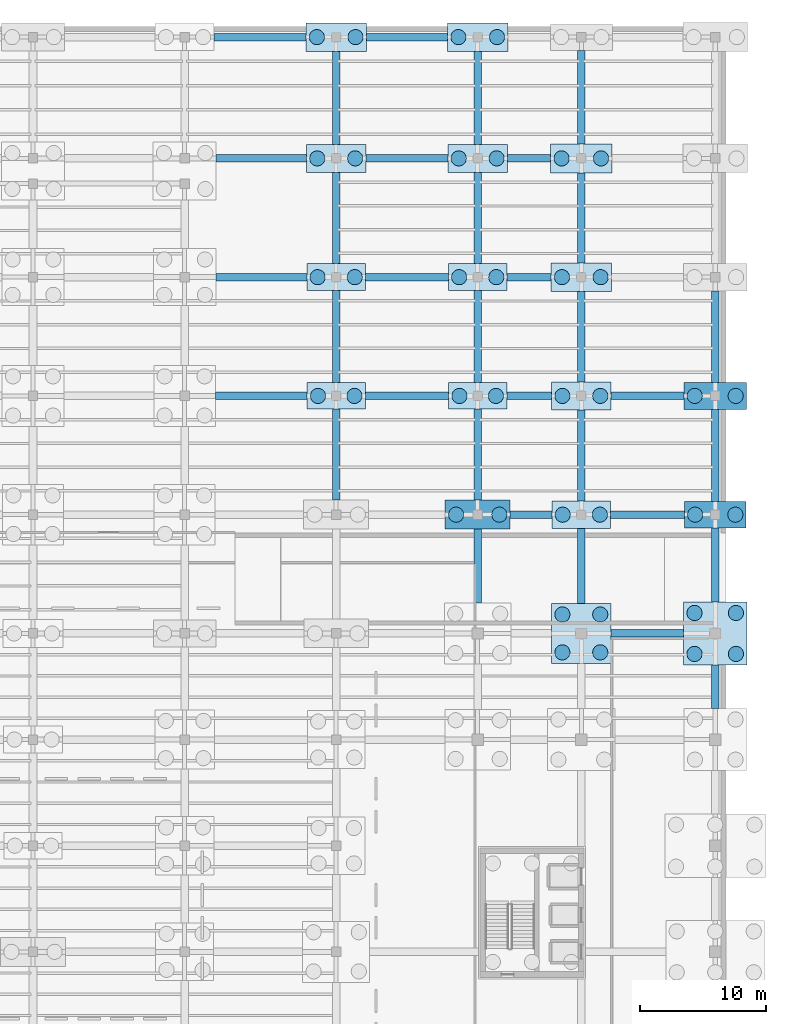
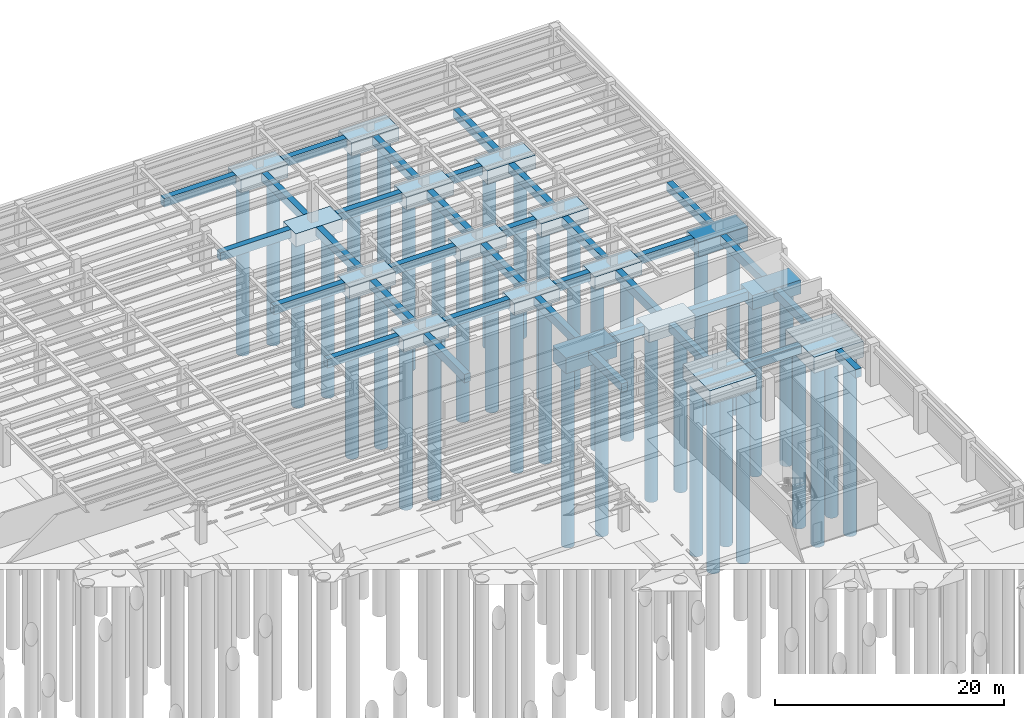
# One storey, part 16 of 49: 50 footings, 38 piles.
"""IFC4 building model written with IfcOpenShell, lengths in metres."""

import ifcopenshell
import ifcopenshell.guid

model = None  # the IFC model being written
_history = None  # IfcOwnerHistory: only IFC2X3 demands one
_inside = {}  # id of a spatial element -> (the spatial element, [elements in it])
_under = {}  # id of a project, library or spatial element -> (it, [spatial elements below it])
_declared = {}  # id of a project -> (the project, [libraries it declares])
_typed = {}  # id of a type object -> (the type object, [elements of that type])
_made_of = {}  # id of a material, layer set ... -> (it, [elements and type objects made of it])


def new_model(schema):
    """Start an empty IFC model of exactly this schema.

    Asked for "IFC4X3", IfcOpenShell would pick the latest addendum, in which some entities
    have other attributes; the version numbers below select the first issue.
    IFC2X3 requires an IfcOwnerHistory on every rooted entity: one is made here for all.
    """
    global model, _history
    if schema == "IFC4X3":
        model = ifcopenshell.file(schema_version=(4, 3, 0, 0))
    else:
        model = ifcopenshell.file(schema=schema)
    _inside.clear()
    _under.clear()
    _declared.clear()
    _typed.clear()
    _made_of.clear()
    _history = None
    if model.schema == "IFC2X3":
        org = make("IfcOrganization", Name="unknown")
        user = make(
            "IfcPersonAndOrganization",
            ThePerson=make("IfcPerson", FamilyName="unknown"),
            TheOrganization=org,
        )
        app = make(
            "IfcApplication",
            ApplicationDeveloper=org,
            Version="unknown",
            ApplicationFullName="unknown",
            ApplicationIdentifier="unknown",
        )
        _history = make(
            "IfcOwnerHistory",
            OwningUser=user,
            OwningApplication=app,
            ChangeAction="ADDED",
            CreationDate=0,
        )
    return model


def make(cls, **values):
    """One entity of the class cls with the attributes given. An attribute that is None is left unset."""
    return model.create_entity(
        cls, **{name: value for name, value in values.items() if value is not None}
    )


def rooted(cls, **values):
    """An entity with a GlobalId (a new one), such as an element, a storey or a relation."""
    return make(cls, GlobalId=ifcopenshell.guid.new(), OwnerHistory=_history, **values)


def si_unit(unit_type, name, prefix=None):
    """IfcSIUnit, for example si_unit("LENGTHUNIT", "METRE", prefix="MILLI")."""
    return make("IfcSIUnit", UnitType=unit_type, Prefix=prefix, Name=name)


def assignment(units):
    """IfcUnitAssignment: the units of a project."""
    return None if units is None else make("IfcUnitAssignment", Units=units)


def point(xyz):
    """IfcCartesianPoint."""
    return None if xyz is None else make("IfcCartesianPoint", Coordinates=xyz)


def direction(xyz):
    """IfcDirection."""
    return None if xyz is None else make("IfcDirection", DirectionRatios=xyz)


def frame(location, z_axis=None, x_axis=None):
    """IfcAxis2Placement3D, a coordinate frame: its origin and axes. An axis left out is left unset."""
    return make(
        "IfcAxis2Placement3D",
        Location=point(location),
        Axis=direction(z_axis),
        RefDirection=direction(x_axis),
    )


def frame_2d(location, x_axis=None):
    """IfcAxis2Placement2D, a coordinate frame in the plane: its origin and x axis."""
    return make(
        "IfcAxis2Placement2D", Location=point(location), RefDirection=direction(x_axis)
    )


def origin():
    """The frame at (0, 0, 0) with its axes left unset."""
    return frame((0.0, 0.0, 0.0))


def origin_2d():
    """The frame at (0, 0) in the plane with its x axis left unset."""
    return frame_2d((0.0, 0.0))


def place(relative_to, where):
    """IfcLocalPlacement: puts the frame where relative to a parent placement (None: the world)."""
    return make(
        "IfcLocalPlacement", PlacementRelTo=relative_to, RelativePlacement=where
    )


def context(
    kind, dimensions, precision=None, world=None, true_north=None, identifier=None
):
    """IfcGeometricRepresentationContext, for example the 3D "Model" context."""
    return make(
        "IfcGeometricRepresentationContext",
        ContextIdentifier=identifier,
        ContextType=kind,
        CoordinateSpaceDimension=dimensions,
        Precision=precision,
        WorldCoordinateSystem=world,
        TrueNorth=true_north,
    )


def subcontext(parent, identifier, kind, view, scale=None):
    """IfcGeometricRepresentationSubContext, for example "Body" below "Model"."""
    return make(
        "IfcGeometricRepresentationSubContext",
        ContextIdentifier=identifier,
        ContextType=kind,
        ParentContext=parent,
        TargetScale=scale,
        TargetView=view,
    )


def project(units=None, contexts=None):
    """IfcProject with its units and contexts."""
    return rooted(
        "IfcProject",
        Name="project",
        RepresentationContexts=contexts,
        UnitsInContext=assignment(units),
    )


def spatial(cls, under=None, at=None, **own):
    """A site, building, storey or space (cls), placed at a placement, below another one or the project."""
    s = rooted(cls, ObjectPlacement=at, **own)
    if under is not None:
        _under.setdefault(under.id(), (under, []))[1].append(s)
    return s


def profile(cls, at=None, kind="AREA", **sizes):
    """A parametric profile (cls). Its sizes go by their IFC names, for example OverallWidth=200.0."""
    return make(cls, ProfileType=kind, Position=at, **sizes)


def rectangle(**sizes):
    """IfcRectangleProfileDef."""
    return profile("IfcRectangleProfileDef", **sizes)


def circle(**sizes):
    """IfcCircleProfileDef."""
    return profile("IfcCircleProfileDef", **sizes)


def extrude(swept, where, along, depth):
    """IfcExtrudedAreaSolid: the profile swept, set in the frame where, extruded along a direction by depth."""
    return make(
        "IfcExtrudedAreaSolid",
        SweptArea=swept,
        Position=where,
        ExtrudedDirection=direction(along),
        Depth=depth,
    )


def shape(context_of_items, identifier, shape_type, items):
    """IfcShapeRepresentation: the items that make up one representation, for example the "Body"."""
    return make(
        "IfcShapeRepresentation",
        ContextOfItems=context_of_items,
        RepresentationIdentifier=identifier,
        RepresentationType=shape_type,
        Items=items,
    )


def material(Name=None, Category=None):
    """IfcMaterial."""
    return make("IfcMaterial", Name=Name, Category=Category)


def material_profile(
    of_material, cross_section, Name=None, Category=None, Priority=None
):
    """IfcMaterialProfile: a cross section and its material."""
    return make(
        "IfcMaterialProfile",
        Name=Name,
        Material=of_material,
        Profile=cross_section,
        Priority=Priority,
        Category=Category,
    )


def profile_set(profiles, Name=None, composite=None):
    """IfcMaterialProfileSet."""
    return make(
        "IfcMaterialProfileSet",
        Name=Name,
        MaterialProfiles=profiles,
        CompositeProfile=composite,
    )


def made_of(thing, what):
    """Note that an element or type object is made of a material, layer set ...; save() writes the relation."""
    if what is not None:
        _made_of.setdefault(what.id(), (what, []))[1].append(thing)
    return thing


def type_object(cls, material=None, **own):
    """A type object (cls), such as IfcWallType, which elements share."""
    return made_of(rooted(cls, **own), material)


def element(
    cls,
    number,
    at=None,
    inside=None,
    cuts=None,
    type_object=None,
    material=None,
    context=None,
    identifier="Body",
    shape_type=None,
    held_by="IfcProductDefinitionShape",
    body=None,
    shapes=None,
    **own,
):
    """One element of the class cls, such as IfcWall. Its Tag is "e" and its number.

    at: its placement. inside: the storey or other place that contains it. cuts: it is an
    opening in that element (IfcRelVoidsElement). A single representation is given by context,
    identifier, shape_type and body (its items); several are given by shapes. held_by: the class
    of the entity that holds the representations. save() writes the other relations.
    """
    e = rooted(cls, Tag="e%d" % number, ObjectPlacement=at, **own)
    if body is not None:
        shapes = [shape(context, identifier, shape_type, body)]
    if shapes is not None:
        e.Representation = make(held_by, Representations=shapes)
    if inside is not None:
        _inside.setdefault(inside.id(), (inside, []))[1].append(e)
    if cuts is not None:
        rooted(
            "IfcRelVoidsElement", RelatingBuildingElement=cuts, RelatedOpeningElement=e
        )
    if type_object is not None:
        _typed.setdefault(type_object.id(), (type_object, []))[1].append(e)
    return made_of(e, material)


def aggregate(whole, parts):
    """IfcRelAggregates: a whole, such as a stair, and the parts it consists of."""
    return rooted("IfcRelAggregates", RelatingObject=whole, RelatedObjects=parts)


def save(model, path):
    """Write the relations noted so far, then the file.

    IfcRelAggregates (storeys below a building ...), IfcRelContainedInSpatialStructure (elements
    in a storey), IfcRelDefinesByType, IfcRelAssociatesMaterial and IfcRelDeclares: one each for
    every whole, place, type object, material and project.
    """
    for whole, parts in _under.values():
        aggregate(whole, parts)
    for where, things in _inside.values():
        rooted(
            "IfcRelContainedInSpatialStructure",
            RelatedElements=things,
            RelatingStructure=where,
        )
    for kind, things in _typed.values():
        rooted("IfcRelDefinesByType", RelatedObjects=things, RelatingType=kind)
    for what, things in _made_of.values():
        rooted("IfcRelAssociatesMaterial", RelatedObjects=things, RelatingMaterial=what)
    for by, libraries in _declared.values():
        rooted("IfcRelDeclares", RelatingContext=by, RelatedDefinitions=libraries)
    model.write(path)


model = new_model("IFC4")

# Units and contexts
model_context = context("Model", 3, precision=1e-05, world=origin(), true_north=direction((0.0, 1.0)))
body_context = subcontext(model_context, "Body", "Model", "MODEL_VIEW")
ifc_project = project(units=[si_unit("LENGTHUNIT", "METRE"), si_unit("AREAUNIT", "SQUARE_METRE"), si_unit("VOLUMEUNIT", "CUBIC_METRE"), si_unit("PLANEANGLEUNIT", "RADIAN"), si_unit("MASSUNIT", "GRAM", prefix="KILO")], contexts=[model_context])

# Site, building, storey
site_placement = place(None, origin())
site = spatial("IfcSite", under=ifc_project, at=site_placement, CompositionType="ELEMENT")
building_placement = place(site_placement, origin())
building = spatial("IfcBuilding", under=site, at=building_placement, Name="Sollismere Congress Hotel", CompositionType="ELEMENT")
storey_placement = place(building_placement, frame((0.0, 0.0, -4.5)))
storey = spatial("IfcBuildingStorey", under=building, at=storey_placement, Name="B1", CompositionType="ELEMENT", Elevation=-4.5)

# Footings
ifc_material = material(Name="Concrete C40/50", Category="concrete")
footing_type_1 = type_object("IfcFootingType", Name="FT-GB600", PredefinedType="FOOTING_BEAM", material=ifc_material)
footing_1_placement = place(storey_placement, frame((160.6298828125, 66.800048828125, -0.89990234375), z_axis=(0.0, 0.0, 1.0), x_axis=(1.0, 0.0, 0.0)))
element("IfcFooting", 1, at=footing_1_placement, inside=storey, type_object=footing_type_1, Name="FTG-GB-130", PredefinedType="FOOTING_BEAM", context=body_context, shape_type="SweptSolid", body=[
    extrude(rectangle(XDim=5.739990234375, YDim=0.60009765625, at=origin_2d()), origin(), (0.0, 0.0, 1.0), 0.89990234375),
])
footing_2_placement = place(storey_placement, frame((151.419921875, 76.199951171875, -0.89990234375), z_axis=(0.0, 0.0, 1.0), x_axis=(1.0, 0.0, 0.0)))
element("IfcFooting", 2, at=footing_2_placement, inside=storey, type_object=footing_type_1, Name="FTG-GB-146", PredefinedType="FOOTING_BEAM", context=body_context, shape_type="SweptSolid", body=[
    extrude(rectangle(XDim=3.300048828125, YDim=0.60009765625, at=origin_2d()), origin(), (0.0, 0.0, 1.0), 0.89990234375),
])
footing_3_placement = place(storey_placement, frame((160.639892578125, 76.199951171875, -0.89990234375), z_axis=(0.0, 0.0, 1.0), x_axis=(1.0, 0.0, 0.0)))
element("IfcFooting", 3, at=footing_3_placement, inside=storey, type_object=footing_type_1, Name="FTG-GB-147", PredefinedType="FOOTING_BEAM", context=body_context, shape_type="SweptSolid", body=[
    extrude(rectangle(XDim=5.820068359375, YDim=0.60009765625, at=origin_2d()), origin(), (0.0, 0.0, 1.0), 0.89990234375),
])
footing_4_placement = place(storey_placement, frame((130.070068359375, 85.60009765625, -0.89990234375), z_axis=(0.0, 0.0, 1.0), x_axis=(1.0, 0.0, 0.0)))
element("IfcFooting", 4, at=footing_4_placement, inside=storey, type_object=footing_type_1, Name="FTG-GB-160", PredefinedType="FOOTING_BEAM", context=body_context, shape_type="SweptSolid", body=[
    extrude(rectangle(XDim=7.260009765625, YDim=0.60009765625, at=origin_2d()), origin(), (0.0, 0.0, 1.0), 0.89990234375),
])
footing_5_placement = place(storey_placement, frame((141.60009765625, 85.60009765625, -0.89990234375), z_axis=(0.0, 0.0, 1.0), x_axis=(1.0, 0.0, 0.0)))
element("IfcFooting", 5, at=footing_5_placement, inside=storey, type_object=footing_type_1, Name="FTG-GB-161", PredefinedType="FOOTING_BEAM", context=body_context, shape_type="SweptSolid", body=[
    extrude(rectangle(XDim=6.60009765625, YDim=0.60009765625, at=origin_2d()), origin(), (0.0, 0.0, 1.0), 0.89990234375),
])
footing_6_placement = place(storey_placement, frame((151.27001953125, 85.60009765625, -0.89990234375), z_axis=(0.0, 0.0, 1.0), x_axis=(1.0, 0.0, 0.0)))
element("IfcFooting", 6, at=footing_6_placement, inside=storey, type_object=footing_type_1, Name="FTG-GB-162", PredefinedType="FOOTING_BEAM", context=body_context, shape_type="SweptSolid", body=[
    extrude(rectangle(XDim=3.5400390625, YDim=0.60009765625, at=origin_2d()), origin(), (0.0, 0.0, 1.0), 0.89990234375),
])
footing_7_placement = place(storey_placement, frame((160.639892578125, 85.60009765625, -0.89990234375), z_axis=(0.0, 0.0, 1.0), x_axis=(1.0, 0.0, 0.0)))
element("IfcFooting", 7, at=footing_7_placement, inside=storey, type_object=footing_type_1, Name="FTG-GB-163", PredefinedType="FOOTING_BEAM", context=body_context, shape_type="SweptSolid", body=[
    extrude(rectangle(XDim=5.760009765625, YDim=0.60009765625, at=origin_2d()), origin(), (0.0, 0.0, 1.0), 0.89990234375),
])
footing_8_placement = place(storey_placement, frame((130.070068359375, 95.0, -0.89990234375), z_axis=(0.0, 0.0, 1.0), x_axis=(1.0, 0.0, 0.0)))
element("IfcFooting", 8, at=footing_8_placement, inside=storey, type_object=footing_type_1, Name="FTG-GB-177", PredefinedType="FOOTING_BEAM", context=body_context, shape_type="SweptSolid", body=[
    extrude(rectangle(XDim=7.199951171875, YDim=0.60009765625, at=origin_2d()), origin(), (0.0, 0.0, 1.0), 0.89990234375),
])
footing_9_placement = place(storey_placement, frame((141.60009765625, 95.0, -0.89990234375), z_axis=(0.0, 0.0, 1.0), x_axis=(1.0, 0.0, 0.0)))
element("IfcFooting", 9, at=footing_9_placement, inside=storey, type_object=footing_type_1, Name="FTG-GB-178", PredefinedType="FOOTING_BEAM", context=body_context, shape_type="SweptSolid", body=[
    extrude(rectangle(XDim=6.5400390625, YDim=0.60009765625, at=origin_2d()), origin(), (0.0, 0.0, 1.0), 0.89990234375),
])
footing_10_placement = place(storey_placement, frame((151.27001953125, 95.0, -0.89990234375), z_axis=(0.0, 0.0, 1.0), x_axis=(1.0, 0.0, 0.0)))
element("IfcFooting", 10, at=footing_10_placement, inside=storey, type_object=footing_type_1, Name="FTG-GB-179", PredefinedType="FOOTING_BEAM", context=body_context, shape_type="SweptSolid", body=[
    extrude(rectangle(XDim=3.47998046875, YDim=0.60009765625, at=origin_2d()), origin(), (0.0, 0.0, 1.0), 0.89990234375),
])
footing_11_placement = place(storey_placement, frame((130.070068359375, 104.39990234375, -0.89990234375), z_axis=(0.0, 0.0, 1.0), x_axis=(1.0, 0.0, 0.0)))
element("IfcFooting", 11, at=footing_11_placement, inside=storey, type_object=footing_type_1, Name="FTG-GB-195", PredefinedType="FOOTING_BEAM", context=body_context, shape_type="SweptSolid", body=[
    extrude(rectangle(XDim=7.139892578125, YDim=0.60009765625, at=origin_2d()), origin(), (0.0, 0.0, 1.0), 0.89990234375),
])
footing_12_placement = place(storey_placement, frame((141.60009765625, 104.39990234375, -0.89990234375), z_axis=(0.0, 0.0, 1.0), x_axis=(1.0, 0.0, 0.0)))
element("IfcFooting", 12, at=footing_12_placement, inside=storey, type_object=footing_type_1, Name="FTG-GB-196", PredefinedType="FOOTING_BEAM", context=body_context, shape_type="SweptSolid", body=[
    extrude(rectangle(XDim=6.47998046875, YDim=0.60009765625, at=origin_2d()), origin(), (0.0, 0.0, 1.0), 0.89990234375),
])
footing_13_placement = place(storey_placement, frame((151.27001953125, 104.39990234375, -0.89990234375), z_axis=(0.0, 0.0, 1.0), x_axis=(1.0, 0.0, 0.0)))
element("IfcFooting", 13, at=footing_13_placement, inside=storey, type_object=footing_type_1, Name="FTG-GB-197", PredefinedType="FOOTING_BEAM", context=body_context, shape_type="SweptSolid", body=[
    extrude(rectangle(XDim=3.419921875, YDim=0.60009765625, at=origin_2d()), origin(), (0.0, 0.0, 1.0), 0.89990234375),
])
footing_14_placement = place(storey_placement, frame((129.969970703125, 114.0, -0.89990234375), z_axis=(0.0, 0.0, 1.0), x_axis=(1.0, 0.0, 0.0)))
element("IfcFooting", 14, at=footing_14_placement, inside=storey, type_object=footing_type_1, Name="FTG-GB-212", PredefinedType="FOOTING_BEAM", context=body_context, shape_type="SweptSolid", body=[
    extrude(rectangle(XDim=7.280029296875, YDim=0.60009765625, at=origin_2d()), origin(), (0.0, 0.0, 1.0), 0.89990234375),
])
footing_15_placement = place(storey_placement, frame((141.60009765625, 114.0, -0.89990234375), z_axis=(0.0, 0.0, 1.0), x_axis=(1.0, 0.0, 0.0)))
element("IfcFooting", 15, at=footing_15_placement, inside=storey, type_object=footing_type_1, Name="FTG-GB-213", PredefinedType="FOOTING_BEAM", context=body_context, shape_type="SweptSolid", body=[
    extrude(rectangle(XDim=6.419921875, YDim=0.60009765625, at=origin_2d()), origin(), (0.0, 0.0, 1.0), 0.89990234375),
])
footing_16_placement = place(storey_placement, frame((136.0, 80.949951171875, -0.89990234375), z_axis=(0.0, 0.0, 1.0), x_axis=(0.0, 1.0, 0.0)))
element("IfcFooting", 16, at=footing_16_placement, inside=storey, type_object=footing_type_1, Name="FTG-GB-404", PredefinedType="FOOTING_BEAM", context=body_context, shape_type="SweptSolid", body=[
    extrude(rectangle(XDim=7.199951171875, YDim=0.60009765625, at=origin_2d()), origin(), (0.0, 0.0, 1.0), 0.89990234375),
])
footing_17_placement = place(storey_placement, frame((136.0, 90.28759765625, -0.89990234375), z_axis=(0.0, 0.0, 1.0), x_axis=(0.0, 1.0, 0.0)))
element("IfcFooting", 17, at=footing_17_placement, inside=storey, type_object=footing_type_1, Name="FTG-GB-405", PredefinedType="FOOTING_BEAM", context=body_context, shape_type="SweptSolid", body=[
    extrude(rectangle(XDim=7.27490234375, YDim=0.60009765625, at=origin_2d()), origin(), (0.0, 0.0, 1.0), 0.89990234375),
])
footing_18_placement = place(storey_placement, frame((136.0, 99.6875, -0.89990234375), z_axis=(0.0, 0.0, 1.0), x_axis=(0.0, 1.0, 0.0)))
element("IfcFooting", 18, at=footing_18_placement, inside=storey, type_object=footing_type_1, Name="FTG-GB-406", PredefinedType="FOOTING_BEAM", context=body_context, shape_type="SweptSolid", body=[
    extrude(rectangle(XDim=7.22509765625, YDim=0.60009765625, at=origin_2d()), origin(), (0.0, 0.0, 1.0), 0.89990234375),
])
footing_19_placement = place(storey_placement, frame((136.0, 109.1875, -0.89990234375), z_axis=(0.0, 0.0, 1.0), x_axis=(0.0, 1.0, 0.0)))
element("IfcFooting", 19, at=footing_19_placement, inside=storey, type_object=footing_type_1, Name="FTG-GB-407", PredefinedType="FOOTING_BEAM", context=body_context, shape_type="SweptSolid", body=[
    extrude(rectangle(XDim=7.375, YDim=0.60009765625, at=origin_2d()), origin(), (0.0, 0.0, 1.0), 0.89990234375),
])
footing_20_placement = place(storey_placement, frame((147.199951171875, 72.135009765625, -0.89990234375), z_axis=(0.0, 0.0, 1.0), x_axis=(0.0, 1.0, 0.0)))
element("IfcFooting", 20, at=footing_20_placement, inside=storey, type_object=footing_type_1, Name="FTG-GB-412", PredefinedType="FOOTING_BEAM", context=body_context, shape_type="SweptSolid", body=[
    extrude(rectangle(XDim=5.830078125, YDim=0.60009765625, at=origin_2d()), origin(), (0.0, 0.0, 1.0), 0.89990234375),
])
footing_21_placement = place(storey_placement, frame((147.199951171875, 80.949951171875, -0.89990234375), z_axis=(0.0, 0.0, 1.0), x_axis=(0.0, 1.0, 0.0)))
element("IfcFooting", 21, at=footing_21_placement, inside=storey, type_object=footing_type_1, Name="FTG-GB-413", PredefinedType="FOOTING_BEAM", context=body_context, shape_type="SweptSolid", body=[
    extrude(rectangle(XDim=7.199951171875, YDim=0.60009765625, at=origin_2d()), origin(), (0.0, 0.0, 1.0), 0.89990234375),
])
footing_22_placement = place(storey_placement, frame((147.199951171875, 90.28759765625, -0.89990234375), z_axis=(0.0, 0.0, 1.0), x_axis=(0.0, 1.0, 0.0)))
element("IfcFooting", 22, at=footing_22_placement, inside=storey, type_object=footing_type_1, Name="FTG-GB-414", PredefinedType="FOOTING_BEAM", context=body_context, shape_type="SweptSolid", body=[
    extrude(rectangle(XDim=7.27490234375, YDim=0.60009765625, at=origin_2d()), origin(), (0.0, 0.0, 1.0), 0.89990234375),
])
footing_23_placement = place(storey_placement, frame((147.199951171875, 99.6875, -0.89990234375), z_axis=(0.0, 0.0, 1.0), x_axis=(0.0, 1.0, 0.0)))
element("IfcFooting", 23, at=footing_23_placement, inside=storey, type_object=footing_type_1, Name="FTG-GB-415", PredefinedType="FOOTING_BEAM", context=body_context, shape_type="SweptSolid", body=[
    extrude(rectangle(XDim=7.22509765625, YDim=0.60009765625, at=origin_2d()), origin(), (0.0, 0.0, 1.0), 0.89990234375),
])
footing_24_placement = place(storey_placement, frame((147.199951171875, 109.1875, -0.89990234375), z_axis=(0.0, 0.0, 1.0), x_axis=(0.0, 1.0, 0.0)))
element("IfcFooting", 24, at=footing_24_placement, inside=storey, type_object=footing_type_1, Name="FTG-GB-416", PredefinedType="FOOTING_BEAM", context=body_context, shape_type="SweptSolid", body=[
    extrude(rectangle(XDim=7.375, YDim=0.60009765625, at=origin_2d()), origin(), (0.0, 0.0, 1.0), 0.89990234375),
])
footing_25_placement = place(storey_placement, frame((155.39990234375, 72.142578125, -0.89990234375), z_axis=(0.0, 0.0, 1.0), x_axis=(0.0, 1.0, 0.0)))
element("IfcFooting", 25, at=footing_25_placement, inside=storey, type_object=footing_type_1, Name="FTG-GB-424", PredefinedType="FOOTING_BEAM", context=body_context, shape_type="SweptSolid", body=[
    extrude(rectangle(XDim=5.965087890625, YDim=0.60009765625, at=origin_2d()), origin(), (0.0, 0.0, 1.0), 0.89990234375),
])
footing_26_placement = place(storey_placement, frame((155.39990234375, 80.887451171875, -0.89990234375), z_axis=(0.0, 0.0, 1.0), x_axis=(0.0, 1.0, 0.0)))
element("IfcFooting", 26, at=footing_26_placement, inside=storey, type_object=footing_type_1, Name="FTG-GB-425", PredefinedType="FOOTING_BEAM", context=body_context, shape_type="SweptSolid", body=[
    extrude(rectangle(XDim=7.22509765625, YDim=0.60009765625, at=origin_2d()), origin(), (0.0, 0.0, 1.0), 0.89990234375),
])
footing_27_placement = place(storey_placement, frame((155.39990234375, 90.28759765625, -0.89990234375), z_axis=(0.0, 0.0, 1.0), x_axis=(0.0, 1.0, 0.0)))
element("IfcFooting", 27, at=footing_27_placement, inside=storey, type_object=footing_type_1, Name="FTG-GB-426", PredefinedType="FOOTING_BEAM", context=body_context, shape_type="SweptSolid", body=[
    extrude(rectangle(XDim=7.175048828125, YDim=0.60009765625, at=origin_2d()), origin(), (0.0, 0.0, 1.0), 0.89990234375),
])
footing_28_placement = place(storey_placement, frame((155.39990234375, 99.6875, -0.89990234375), z_axis=(0.0, 0.0, 1.0), x_axis=(0.0, 1.0, 0.0)))
element("IfcFooting", 28, at=footing_28_placement, inside=storey, type_object=footing_type_1, Name="FTG-GB-427", PredefinedType="FOOTING_BEAM", context=body_context, shape_type="SweptSolid", body=[
    extrude(rectangle(XDim=7.125, YDim=0.60009765625, at=origin_2d()), origin(), (0.0, 0.0, 1.0), 0.89990234375),
])
footing_29_placement = place(storey_placement, frame((155.39990234375, 109.25, -0.89990234375), z_axis=(0.0, 0.0, 1.0), x_axis=(0.0, 1.0, 0.0)))
element("IfcFooting", 29, at=footing_29_placement, inside=storey, type_object=footing_type_1, Name="FTG-GB-428", PredefinedType="FOOTING_BEAM", context=body_context, shape_type="SweptSolid", body=[
    extrude(rectangle(XDim=7.39990234375, YDim=0.60009765625, at=origin_2d()), origin(), (0.0, 0.0, 1.0), 0.89990234375),
])
footing_30_placement = place(storey_placement, frame((166.0, 62.5849609375, -0.89990234375), z_axis=(0.0, 0.0, 1.0), x_axis=(0.0, 1.0, 0.0)))
element("IfcFooting", 30, at=footing_30_placement, inside=storey, type_object=footing_type_1, Name="FTG-GB-436", PredefinedType="FOOTING_BEAM", context=body_context, shape_type="SweptSolid", body=[
    extrude(rectangle(XDim=3.469970703125, YDim=0.60009765625, at=origin_2d()), origin(), (0.0, 0.0, 1.0), 0.89990234375),
])
footing_31_placement = place(storey_placement, frame((166.0, 72.215087890625, -0.89990234375), z_axis=(0.0, 0.0, 1.0), x_axis=(0.0, 1.0, 0.0)))
element("IfcFooting", 31, at=footing_31_placement, inside=storey, type_object=footing_type_1, Name="FTG-GB-437", PredefinedType="FOOTING_BEAM", context=body_context, shape_type="SweptSolid", body=[
    extrude(rectangle(XDim=5.8701171875, YDim=0.60009765625, at=origin_2d()), origin(), (0.0, 0.0, 1.0), 0.89990234375),
])
footing_32_placement = place(storey_placement, frame((166.0, 80.887451171875, -0.89990234375), z_axis=(0.0, 0.0, 1.0), x_axis=(0.0, 1.0, 0.0)))
element("IfcFooting", 32, at=footing_32_placement, inside=storey, type_object=footing_type_1, Name="FTG-GB-438", PredefinedType="FOOTING_BEAM", context=body_context, shape_type="SweptSolid", body=[
    extrude(rectangle(XDim=7.27490234375, YDim=0.60009765625, at=origin_2d()), origin(), (0.0, 0.0, 1.0), 0.89990234375),
])
footing_33_placement = place(storey_placement, frame((166.0, 90.28759765625, -0.89990234375), z_axis=(0.0, 0.0, 1.0), x_axis=(0.0, 1.0, 0.0)))
element("IfcFooting", 33, at=footing_33_placement, inside=storey, type_object=footing_type_1, Name="FTG-GB-439", PredefinedType="FOOTING_BEAM", context=body_context, shape_type="SweptSolid", body=[
    extrude(rectangle(XDim=7.22509765625, YDim=0.60009765625, at=origin_2d()), origin(), (0.0, 0.0, 1.0), 0.89990234375),
])
footing_type_2 = type_object("IfcFootingType", Name="FT-PC2-01", PredefinedType="PILE_CAP", material=ifc_material)
for number, where, z_axis, x_axis, name in (
    (34, (136.0, 85.60009765625, -1.2998046875), (0.0, 0.0, 1.0), (1.0, 0.0, 0.0), "Reinforced concrete pile cap PC-201"),
    (35, (147.199951171875, 85.60009765625, -1.2998046875), (0.0, 0.0, 1.0), (1.0, 0.0, 0.0), "Reinforced concrete pile cap PC-211"),
):
    element("IfcFooting", number, at=place(storey_placement, frame(where, z_axis=z_axis, x_axis=x_axis)), inside=storey, type_object=footing_type_2, Name=name, PredefinedType="PILE_CAP", context=body_context, shape_type="SweptSolid", body=[
        extrude(rectangle(XDim=4.60009765625, YDim=2.10009765625, at=origin_2d()), origin(), (0.0, 0.0, 1.0), 1.300048828125),
    ])
footing_type_3 = type_object("IfcFootingType", Name="FT-PC2-02", PredefinedType="PILE_CAP", material=ifc_material)
for number, where, z_axis, x_axis, name in (
    (36, (136.0, 95.0, -1.33984375), (0.0, 0.0, 1.0), (1.0, 0.0, 0.0), "Reinforced concrete pile cap PC-202"),
    (37, (147.199951171875, 95.0, -1.33984375), (0.0, 0.0, 1.0), (1.0, 0.0, 0.0), "Reinforced concrete pile cap PC-212"),
    (38, (155.39990234375, 76.199951171875, -1.33984375), (0.0, 0.0, 1.0), (1.0, 0.0, 0.0), "Reinforced concrete pile cap PC-222"),
):
    element("IfcFooting", number, at=place(storey_placement, frame(where, z_axis=z_axis, x_axis=x_axis)), inside=storey, type_object=footing_type_3, Name=name, PredefinedType="PILE_CAP", context=body_context, shape_type="SweptSolid", body=[
        extrude(rectangle(XDim=4.659912109375, YDim=2.14990234375, at=origin_2d()), origin(), (0.0, 0.0, 1.0), 1.340087890625),
    ])
footing_type_4 = type_object("IfcFootingType", Name="FT-PC2-03", PredefinedType="PILE_CAP", material=ifc_material)
for number, where, z_axis, x_axis, name in (
    (39, (136.0, 104.39990234375, -1.3798828125), (0.0, 0.0, 1.0), (1.0, 0.0, 0.0), "Reinforced concrete pile cap PC-203"),
    (40, (147.199951171875, 104.39990234375, -1.3798828125), (0.0, 0.0, 1.0), (1.0, 0.0, 0.0), "Reinforced concrete pile cap PC-213"),
    (41, (155.39990234375, 85.60009765625, -1.3798828125), (0.0, 0.0, 1.0), (1.0, 0.0, 0.0), "Reinforced concrete pile cap PC-223"),
):
    element("IfcFooting", number, at=place(storey_placement, frame(where, z_axis=z_axis, x_axis=x_axis)), inside=storey, type_object=footing_type_4, Name=name, PredefinedType="PILE_CAP", context=body_context, shape_type="SweptSolid", body=[
        extrude(rectangle(XDim=4.719970703125, YDim=2.199951171875, at=origin_2d()), origin(), (0.0, 0.0, 1.0), 1.3798828125),
    ])
footing_type_5 = type_object("IfcFootingType", Name="FT-PC2-04", PredefinedType="PILE_CAP", material=ifc_material)
for number, where, z_axis, x_axis, name in (
    (42, (136.0, 114.0, -1.419921875), (0.0, 0.0, 1.0), (1.0, 0.0, 0.0), "Reinforced concrete pile cap PC-204"),
    (43, (147.199951171875, 114.0, -1.419921875), (0.0, 0.0, 1.0), (1.0, 0.0, 0.0), "Reinforced concrete pile cap PC-214"),
    (44, (155.39990234375, 95.0, -1.419921875), (0.0, 0.0, 1.0), (1.0, 0.0, 0.0), "Reinforced concrete pile cap PC-224"),
):
    element("IfcFooting", number, at=place(storey_placement, frame(where, z_axis=z_axis, x_axis=x_axis)), inside=storey, type_object=footing_type_5, Name=name, PredefinedType="PILE_CAP", context=body_context, shape_type="SweptSolid", body=[
        extrude(rectangle(XDim=4.780029296875, YDim=2.25, at=origin_2d()), origin(), (0.0, 0.0, 1.0), 1.419921875),
    ])
footing_type_6 = type_object("IfcFootingType", Name="FT-PC2-05", PredefinedType="PILE_CAP", material=ifc_material)
footing_34_placement = place(storey_placement, frame((155.39990234375, 104.39990234375, -1.4599609375), z_axis=(0.0, 0.0, 1.0), x_axis=(1.0, 0.0, 0.0)))
element("IfcFooting", 45, at=footing_34_placement, inside=storey, type_object=footing_type_6, Name="Reinforced concrete pile cap PC-225", PredefinedType="PILE_CAP", context=body_context, shape_type="SweptSolid", body=[
    extrude(rectangle(XDim=4.840087890625, YDim=2.300048828125, at=origin_2d()), origin(), (0.0, 0.0, 1.0), 1.4599609375),
])
footing_type_7 = type_object("IfcFootingType", Name="FT-PC2-06", PredefinedType="PILE_CAP", material=ifc_material)
footing_35_placement = place(storey_placement, frame((166.0, 76.199951171875, -1.5), z_axis=(0.0, 0.0, 1.0), x_axis=(1.0, 0.0, 0.0)))
element("IfcFooting", 46, at=footing_35_placement, inside=storey, type_object=footing_type_7, Name="Reinforced concrete pile cap PC-236", PredefinedType="PILE_CAP", context=body_context, shape_type="SweptSolid", body=[
    extrude(rectangle(XDim=4.89990234375, YDim=2.10009765625, at=origin_2d()), origin(), (0.0, 0.0, 1.0), 1.5),
])
footing_type_8 = type_object("IfcFootingType", Name="FT-PC2-07", PredefinedType="PILE_CAP", material=ifc_material)
footing_36_placement = place(storey_placement, frame((166.0, 85.60009765625, -1.5400390625), z_axis=(0.0, 0.0, 1.0), x_axis=(1.0, 0.0, 0.0)))
element("IfcFooting", 47, at=footing_36_placement, inside=storey, type_object=footing_type_8, Name="Reinforced concrete pile cap PC-237", PredefinedType="PILE_CAP", context=body_context, shape_type="SweptSolid", body=[
    extrude(rectangle(XDim=4.9599609375, YDim=2.14990234375, at=origin_2d()), origin(), (0.0, 0.0, 1.0), 1.5400390625),
])
footing_type_9 = type_object("IfcFootingType", Name="FT-PC2-10", PredefinedType="PILE_CAP", material=ifc_material)
footing_37_placement = place(storey_placement, frame((147.199951171875, 76.199951171875, -1.66015625), z_axis=(0.0, 0.0, 1.0), x_axis=(1.0, 0.0, 0.0)))
element("IfcFooting", 48, at=footing_37_placement, inside=storey, type_object=footing_type_9, Name="Reinforced concrete pile cap PC-210", PredefinedType="PILE_CAP", context=body_context, shape_type="SweptSolid", body=[
    extrude(rectangle(XDim=5.139892578125, YDim=2.300048828125, at=origin_2d()), origin(), (0.0, 0.0, 1.0), 1.659912109375),
])
footing_type_10 = type_object("IfcFootingType", Name="FT-PC4H-01", PredefinedType="PILE_CAP", material=ifc_material)
footing_38_placement = place(storey_placement, frame((155.39990234375, 66.800048828125, -1.5498046875), z_axis=(0.0, 0.0, 1.0), x_axis=(1.0, 0.0, 0.0)))
element("IfcFooting", 49, at=footing_38_placement, inside=storey, type_object=footing_type_10, Name="Reinforced concrete pile cap PC-221", PredefinedType="PILE_CAP", context=body_context, shape_type="SweptSolid", body=[
    extrude(rectangle(XDim=4.719970703125, YDim=4.719970703125, at=origin_2d()), origin(), (0.0, 0.0, 1.0), 1.550048828125),
])
footing_type_11 = type_object("IfcFootingType", Name="FT-PC4H-05", PredefinedType="PILE_CAP", material=ifc_material)
footing_39_placement = place(storey_placement, frame((166.0, 66.800048828125, -1.7099609375), z_axis=(0.0, 0.0, 1.0), x_axis=(1.0, 0.0, 0.0)))
element("IfcFooting", 50, at=footing_39_placement, inside=storey, type_object=footing_type_11, Name="Reinforced concrete pile cap PC-235", PredefinedType="PILE_CAP", context=body_context, shape_type="SweptSolid", body=[
    extrude(rectangle(XDim=5.0, YDim=4.9599609375, at=origin_2d()), origin(), (0.0, 0.0, 1.0), 1.7099609375),
])

# Piles
ifc_material_profile = material_profile(ifc_material, circle(Radius=0.60009765625, at=origin_2d()), Name="CAISSON1200")
ifc_profile_set = profile_set([ifc_material_profile], Name="Concrete C40/50")
pile_type = type_object("IfcPileType", Name="PL-CS1200", PredefinedType="BORED", material=ifc_profile_set)
for number, where, z_axis, x_axis, name in (
    (51, (134.56005859375, 85.60009765625, -1.199951171875), (0.0, 0.0, -1.0), (1.0, 0.0, 0.0), "Bored rock-socketed caisson PL-649"),
    (52, (137.43994140625, 85.60009765625, -1.199951171875), (0.0, 0.0, -1.0), (1.0, 0.0, 0.0), "Bored rock-socketed caisson PL-650"),
):
    element("IfcPile", number, at=place(storey_placement, frame(where, z_axis=z_axis, x_axis=x_axis)), inside=storey, type_object=pile_type, Name=name, PredefinedType="BORED", context=body_context, shape_type="SweptSolid", body=[
        extrude(circle(Radius=0.60009765625, at=origin_2d()), origin(), (0.0, 0.0, 1.0), 17.5),
    ])
for number, where, z_axis, x_axis, name in (
    (53, (134.530029296875, 95.0, -1.239990234375), (0.0, 0.0, -1.0), (1.0, 0.0, 0.0), "Bored rock-socketed caisson PL-651"),
    (54, (137.469970703125, 95.0, -1.239990234375), (0.0, 0.0, -1.0), (1.0, 0.0, 0.0), "Bored rock-socketed caisson PL-652"),
):
    element("IfcPile", number, at=place(storey_placement, frame(where, z_axis=z_axis, x_axis=x_axis)), inside=storey, type_object=pile_type, Name=name, PredefinedType="BORED", context=body_context, shape_type="SweptSolid", body=[
        extrude(circle(Radius=0.60009765625, at=origin_2d()), origin(), (0.0, 0.0, 1.0), 17.699951171875),
    ])
for number, where, z_axis, x_axis, name in (
    (55, (134.5, 104.39990234375, -1.280029296875), (0.0, 0.0, -1.0), (1.0, 0.0, 0.0), "Bored rock-socketed caisson PL-653"),
    (56, (137.5, 104.39990234375, -1.280029296875), (0.0, 0.0, -1.0), (1.0, 0.0, 0.0), "Bored rock-socketed caisson PL-654"),
):
    element("IfcPile", number, at=place(storey_placement, frame(where, z_axis=z_axis, x_axis=x_axis)), inside=storey, type_object=pile_type, Name=name, PredefinedType="BORED", context=body_context, shape_type="SweptSolid", body=[
        extrude(circle(Radius=0.60009765625, at=origin_2d()), origin(), (0.0, 0.0, 1.0), 17.89990234375),
    ])
for number, where, z_axis, x_axis, name in (
    (57, (134.469970703125, 114.0, -1.320068359375), (0.0, 0.0, -1.0), (1.0, 0.0, 0.0), "Bored rock-socketed caisson PL-655"),
    (58, (137.530029296875, 114.0, -1.320068359375), (0.0, 0.0, -1.0), (1.0, 0.0, 0.0), "Bored rock-socketed caisson PL-656"),
):
    element("IfcPile", number, at=place(storey_placement, frame(where, z_axis=z_axis, x_axis=x_axis)), inside=storey, type_object=pile_type, Name=name, PredefinedType="BORED", context=body_context, shape_type="SweptSolid", body=[
        extrude(circle(Radius=0.60009765625, at=origin_2d()), origin(), (0.0, 0.0, 1.0), 18.10009765625),
    ])
for number, where, z_axis, x_axis, name in (
    (59, (145.489990234375, 76.199951171875, -1.56005859375), (0.0, 0.0, -1.0), (1.0, 0.0, 0.0), "Bored rock-socketed caisson PL-683"),
    (60, (148.909912109375, 76.199951171875, -1.56005859375), (0.0, 0.0, -1.0), (1.0, 0.0, 0.0), "Bored rock-socketed caisson PL-684"),
):
    element("IfcPile", number, at=place(storey_placement, frame(where, z_axis=z_axis, x_axis=x_axis)), inside=storey, type_object=pile_type, Name=name, PredefinedType="BORED", context=body_context, shape_type="SweptSolid", body=[
        extrude(circle(Radius=0.60009765625, at=origin_2d()), origin(), (0.0, 0.0, 1.0), 19.300048828125),
    ])
for number, where, z_axis, x_axis, name in (
    (61, (145.760009765625, 85.60009765625, -1.199951171875), (0.0, 0.0, -1.0), (1.0, 0.0, 0.0), "Bored rock-socketed caisson PL-685"),
    (62, (148.639892578125, 85.60009765625, -1.199951171875), (0.0, 0.0, -1.0), (1.0, 0.0, 0.0), "Bored rock-socketed caisson PL-686"),
):
    element("IfcPile", number, at=place(storey_placement, frame(where, z_axis=z_axis, x_axis=x_axis)), inside=storey, type_object=pile_type, Name=name, PredefinedType="BORED", context=body_context, shape_type="SweptSolid", body=[
        extrude(circle(Radius=0.60009765625, at=origin_2d()), origin(), (0.0, 0.0, 1.0), 17.5),
    ])
for number, where, z_axis, x_axis, name in (
    (63, (145.72998046875, 95.0, -1.239990234375), (0.0, 0.0, -1.0), (1.0, 0.0, 0.0), "Bored rock-socketed caisson PL-687"),
    (64, (148.669921875, 95.0, -1.239990234375), (0.0, 0.0, -1.0), (1.0, 0.0, 0.0), "Bored rock-socketed caisson PL-688"),
):
    element("IfcPile", number, at=place(storey_placement, frame(where, z_axis=z_axis, x_axis=x_axis)), inside=storey, type_object=pile_type, Name=name, PredefinedType="BORED", context=body_context, shape_type="SweptSolid", body=[
        extrude(circle(Radius=0.60009765625, at=origin_2d()), origin(), (0.0, 0.0, 1.0), 17.699951171875),
    ])
for number, where, z_axis, x_axis, name in (
    (65, (145.699951171875, 104.39990234375, -1.280029296875), (0.0, 0.0, -1.0), (1.0, 0.0, 0.0), "Bored rock-socketed caisson PL-689"),
    (66, (148.699951171875, 104.39990234375, -1.280029296875), (0.0, 0.0, -1.0), (1.0, 0.0, 0.0), "Bored rock-socketed caisson PL-690"),
):
    element("IfcPile", number, at=place(storey_placement, frame(where, z_axis=z_axis, x_axis=x_axis)), inside=storey, type_object=pile_type, Name=name, PredefinedType="BORED", context=body_context, shape_type="SweptSolid", body=[
        extrude(circle(Radius=0.60009765625, at=origin_2d()), origin(), (0.0, 0.0, 1.0), 17.89990234375),
    ])
for number, where, z_axis, x_axis, name in (
    (67, (145.669921875, 114.0, -1.320068359375), (0.0, 0.0, -1.0), (1.0, 0.0, 0.0), "Bored rock-socketed caisson PL-691"),
    (68, (148.72998046875, 114.0, -1.320068359375), (0.0, 0.0, -1.0), (1.0, 0.0, 0.0), "Bored rock-socketed caisson PL-692"),
):
    element("IfcPile", number, at=place(storey_placement, frame(where, z_axis=z_axis, x_axis=x_axis)), inside=storey, type_object=pile_type, Name=name, PredefinedType="BORED", context=body_context, shape_type="SweptSolid", body=[
        extrude(circle(Radius=0.60009765625, at=origin_2d()), origin(), (0.0, 0.0, 1.0), 18.10009765625),
    ])
for number, where, z_axis, x_axis, name in (
    (69, (153.89990234375, 65.300048828125, -1.449951171875), (0.0, 0.0, -1.0), (1.0, 0.0, 0.0), "Bored rock-socketed caisson PL-721"),
    (70, (156.89990234375, 65.300048828125, -1.449951171875), (0.0, 0.0, -1.0), (1.0, 0.0, 0.0), "Bored rock-socketed caisson PL-722"),
    (71, (153.89990234375, 68.300048828125, -1.449951171875), (0.0, 0.0, -1.0), (1.0, 0.0, 0.0), "Bored rock-socketed caisson PL-723"),
    (72, (156.89990234375, 68.300048828125, -1.449951171875), (0.0, 0.0, -1.0), (1.0, 0.0, 0.0), "Bored rock-socketed caisson PL-724"),
):
    element("IfcPile", number, at=place(storey_placement, frame(where, z_axis=z_axis, x_axis=x_axis)), inside=storey, type_object=pile_type, Name=name, PredefinedType="BORED", context=body_context, shape_type="SweptSolid", body=[
        extrude(circle(Radius=0.60009765625, at=origin_2d()), origin(), (0.0, 0.0, 1.0), 18.5),
    ])
for number, where, z_axis, x_axis, name in (
    (73, (153.929931640625, 76.199951171875, -1.239990234375), (0.0, 0.0, -1.0), (1.0, 0.0, 0.0), "Bored rock-socketed caisson PL-725"),
    (74, (156.8701171875, 76.199951171875, -1.239990234375), (0.0, 0.0, -1.0), (1.0, 0.0, 0.0), "Bored rock-socketed caisson PL-726"),
):
    element("IfcPile", number, at=place(storey_placement, frame(where, z_axis=z_axis, x_axis=x_axis)), inside=storey, type_object=pile_type, Name=name, PredefinedType="BORED", context=body_context, shape_type="SweptSolid", body=[
        extrude(circle(Radius=0.60009765625, at=origin_2d()), origin(), (0.0, 0.0, 1.0), 17.699951171875),
    ])
for number, where, z_axis, x_axis, name in (
    (75, (153.89990234375, 85.60009765625, -1.280029296875), (0.0, 0.0, -1.0), (1.0, 0.0, 0.0), "Bored rock-socketed caisson PL-727"),
    (76, (156.89990234375, 85.60009765625, -1.280029296875), (0.0, 0.0, -1.0), (1.0, 0.0, 0.0), "Bored rock-socketed caisson PL-728"),
):
    element("IfcPile", number, at=place(storey_placement, frame(where, z_axis=z_axis, x_axis=x_axis)), inside=storey, type_object=pile_type, Name=name, PredefinedType="BORED", context=body_context, shape_type="SweptSolid", body=[
        extrude(circle(Radius=0.60009765625, at=origin_2d()), origin(), (0.0, 0.0, 1.0), 17.89990234375),
    ])
for number, where, z_axis, x_axis, name in (
    (77, (153.8701171875, 95.0, -1.320068359375), (0.0, 0.0, -1.0), (1.0, 0.0, 0.0), "Bored rock-socketed caisson PL-729"),
    (78, (156.929931640625, 95.0, -1.320068359375), (0.0, 0.0, -1.0), (1.0, 0.0, 0.0), "Bored rock-socketed caisson PL-730"),
):
    element("IfcPile", number, at=place(storey_placement, frame(where, z_axis=z_axis, x_axis=x_axis)), inside=storey, type_object=pile_type, Name=name, PredefinedType="BORED", context=body_context, shape_type="SweptSolid", body=[
        extrude(circle(Radius=0.60009765625, at=origin_2d()), origin(), (0.0, 0.0, 1.0), 18.10009765625),
    ])
for number, where, z_axis, x_axis, name in (
    (79, (153.840087890625, 104.39990234375, -1.360107421875), (0.0, 0.0, -1.0), (1.0, 0.0, 0.0), "Bored rock-socketed caisson PL-731"),
    (80, (156.9599609375, 104.39990234375, -1.360107421875), (0.0, 0.0, -1.0), (1.0, 0.0, 0.0), "Bored rock-socketed caisson PL-732"),
):
    element("IfcPile", number, at=place(storey_placement, frame(where, z_axis=z_axis, x_axis=x_axis)), inside=storey, type_object=pile_type, Name=name, PredefinedType="BORED", context=body_context, shape_type="SweptSolid", body=[
        extrude(circle(Radius=0.60009765625, at=origin_2d()), origin(), (0.0, 0.0, 1.0), 18.300048828125),
    ])
for number, where, z_axis, x_axis, name in (
    (81, (164.360107421875, 65.179931640625, -1.610107421875), (0.0, 0.0, -1.0), (1.0, 0.0, 0.0), "Bored rock-socketed caisson PL-781"),
    (82, (167.639892578125, 65.179931640625, -1.610107421875), (0.0, 0.0, -1.0), (1.0, 0.0, 0.0), "Bored rock-socketed caisson PL-782"),
    (83, (164.360107421875, 68.419921875, -1.610107421875), (0.0, 0.0, -1.0), (1.0, 0.0, 0.0), "Bored rock-socketed caisson PL-783"),
    (84, (167.639892578125, 68.419921875, -1.610107421875), (0.0, 0.0, -1.0), (1.0, 0.0, 0.0), "Bored rock-socketed caisson PL-784"),
):
    element("IfcPile", number, at=place(storey_placement, frame(where, z_axis=z_axis, x_axis=x_axis)), inside=storey, type_object=pile_type, Name=name, PredefinedType="BORED", context=body_context, shape_type="SweptSolid", body=[
        extrude(circle(Radius=0.60009765625, at=origin_2d()), origin(), (0.0, 0.0, 1.0), 19.10009765625),
    ])
for number, where, z_axis, x_axis, name in (
    (85, (164.409912109375, 76.199951171875, -1.39990234375), (0.0, 0.0, -1.0), (1.0, 0.0, 0.0), "Bored rock-socketed caisson PL-785"),
    (86, (167.590087890625, 76.199951171875, -1.39990234375), (0.0, 0.0, -1.0), (1.0, 0.0, 0.0), "Bored rock-socketed caisson PL-786"),
):
    element("IfcPile", number, at=place(storey_placement, frame(where, z_axis=z_axis, x_axis=x_axis)), inside=storey, type_object=pile_type, Name=name, PredefinedType="BORED", context=body_context, shape_type="SweptSolid", body=[
        extrude(circle(Radius=0.60009765625, at=origin_2d()), origin(), (0.0, 0.0, 1.0), 18.5),
    ])
for number, where, z_axis, x_axis, name in (
    (87, (164.3798828125, 85.60009765625, -1.43994140625), (0.0, 0.0, -1.0), (1.0, 0.0, 0.0), "Bored rock-socketed caisson PL-787"),
    (88, (167.6201171875, 85.60009765625, -1.43994140625), (0.0, 0.0, -1.0), (1.0, 0.0, 0.0), "Bored rock-socketed caisson PL-788"),
):
    element("IfcPile", number, at=place(storey_placement, frame(where, z_axis=z_axis, x_axis=x_axis)), inside=storey, type_object=pile_type, Name=name, PredefinedType="BORED", context=body_context, shape_type="SweptSolid", body=[
        extrude(circle(Radius=0.60009765625, at=origin_2d()), origin(), (0.0, 0.0, 1.0), 18.699951171875),
    ])

save(model, "model.ifc")
